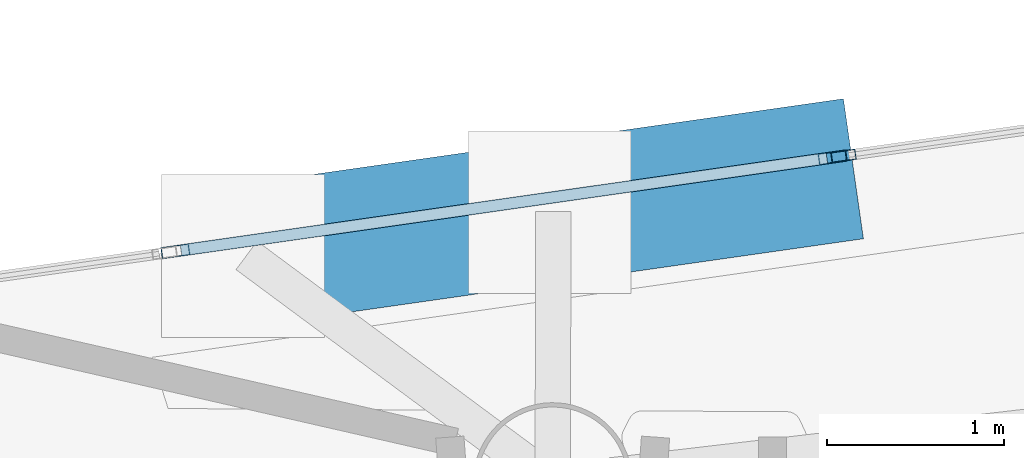
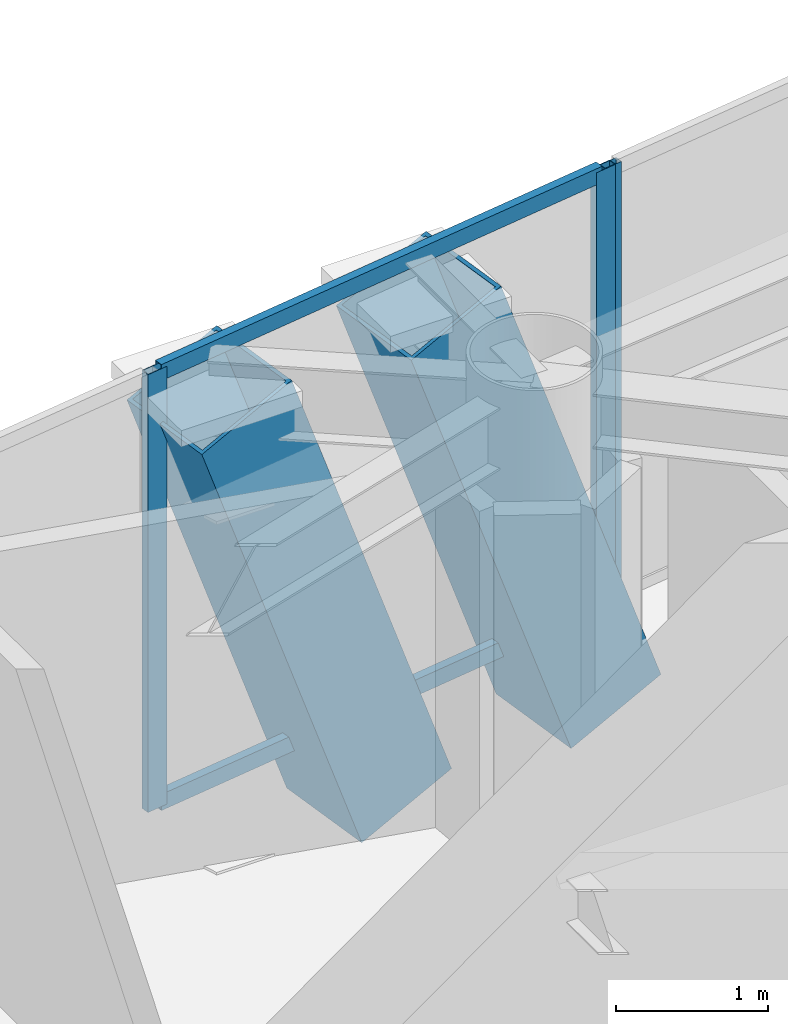
# One storey, part 16 of 25: 7 members, 2 elements without a shape of their own.
"""IFC4 building model written with IfcOpenShell, lengths in metres."""

from ifc_helpers import new_model, si_unit, direction, frame, origin, origin_2d, place, context, subcontext, project, spatial, hollow_rectangle, extrude, material, layer, layer_set, material_profile, profile_set, type_object, element, aggregate, save


model = new_model("IFC4")

# Units and contexts
model_context = context("Model", 3, precision=1e-05, world=origin(), true_north=direction((0.0, 1.0)))
body_context = subcontext(model_context, "Body", "Model", "MODEL_VIEW")
ifc_project = project(units=[si_unit("LENGTHUNIT", "METRE"), si_unit("AREAUNIT", "SQUARE_METRE"), si_unit("VOLUMEUNIT", "CUBIC_METRE"), si_unit("PLANEANGLEUNIT", "RADIAN"), si_unit("MASSUNIT", "GRAM", prefix="KILO")], contexts=[model_context])

# Site, building, storey
site_placement = place(None, origin())
site = spatial("IfcSite", under=ifc_project, at=site_placement, CompositionType="ELEMENT")
building_placement = place(site_placement, origin())
building = spatial("IfcBuilding", under=site, at=building_placement, Name="Qianvela Tower", CompositionType="ELEMENT")
storey_placement = place(building_placement, frame((0.0, 0.0, 288.0)))
storey = spatial("IfcBuildingStorey", under=building, at=storey_placement, Name="L74", CompositionType="ELEMENT", Elevation=288.0)

# Curtain wall, members
ifc_material_1 = material(Name="Anodised Architectural Aluminium and Insulated Spandrel Panel", Category="aluminium")
ifc_layer_1 = layer(ifc_material_1, 0.179931640625)
ifc_layer_set_1 = layer_set([ifc_layer_1], Name="Anodised Architectural Aluminium and Insulated Spandrel Panel")
curtain_wall_type_1 = type_object("IfcCurtainWallType", Name="CW-BRACEBAY", PredefinedType="USERDEFINED", material=ifc_layer_set_1)
curtain_wall_1_placement = place(storey_placement, origin())
curtain_wall_1 = element("IfcCurtainWall", 1, at=curtain_wall_1_placement, inside=storey, type_object=curtain_wall_type_1, Name="L74 CW-BRACEBAY Curtain Wall 02B", ObjectType="CURTAIN_WALL_SYSTEM", PredefinedType="USERDEFINED")
ifc_material_2 = material(Name="Anodised Architectural Aluminium 6063-T6", Category="aluminium")
ifc_material_profile_1 = material_profile(ifc_material_2, hollow_rectangle(XDim=0.06494140625, YDim=0.159912109375, WallThickness=0.0048828125, at=origin_2d()), Name="ALU-MULL-65x160")
ifc_profile_set_1 = profile_set([ifc_material_profile_1], Name="Anodised Architectural Aluminium 6063-T6")
member_type_1 = type_object("IfcMemberType", Name="CW-BRACEBAY-MULL", PredefinedType="MULLION", material=ifc_profile_set_1)
member_1_placement = place(storey_placement, frame((38.05908203125, 37.079833984375, 0.0), z_axis=(0.0, 0.0, 1.0), x_axis=(0.14138837165, -0.989954205184, 0.0)))
member_1 = element("IfcMember", 2, at=member_1_placement, type_object=member_type_1, Name="CW-9 mullion 1", PredefinedType="MULLION", context=body_context, shape_type="SweptSolid", body=[
    extrude(hollow_rectangle(XDim=0.06494140625, YDim=0.159912109375, WallThickness=0.0048828125, at=origin_2d()), origin(), (0.0, 0.0, 1.0), 3.52001953125),
])
member_2_placement = place(storey_placement, frame((34.341796875, 36.549072265625, 0.0), z_axis=(0.0, 0.0, 1.0), x_axis=(0.14138837165, -0.989954205184, 0.0)))
member_2 = element("IfcMember", 3, at=member_2_placement, type_object=member_type_1, Name="CW-9 mullion 2", PredefinedType="MULLION", context=body_context, shape_type="SweptSolid", body=[
    extrude(hollow_rectangle(XDim=0.06494140625, YDim=0.159912109375, WallThickness=0.0048828125, at=origin_2d()), origin(), (0.0, 0.0, 1.0), 3.52001953125),
])
ifc_material_3 = material(Name="Anodised Architectural Aluminium 6063-T6", Category="aluminium")
ifc_material_profile_2 = material_profile(ifc_material_3, hollow_rectangle(XDim=0.06494140625, YDim=0.1298828125, WallThickness=0.00439453125, at=origin_2d()), Name="ALU-TRAN-65x130")
ifc_profile_set_2 = profile_set([ifc_material_profile_2], Name="Anodised Architectural Aluminium 6063-T6")
member_type_2 = type_object("IfcMemberType", Name="CW-BRACEBAY-TRAN", PredefinedType="USERDEFINED", material=ifc_profile_set_2)
member_3_placement = place(storey_placement, frame((38.02685546875, 37.0751953125, 0.032470703125), z_axis=(-0.989962722354, -0.141328724432, 0.0), x_axis=(0.141328724432, -0.989962722354, 0.0)))
member_3 = element("IfcMember", 4, at=member_3_placement, type_object=member_type_2, Name="CW-9 transom 1.1", ObjectType="TRANSOM", PredefinedType="USERDEFINED", context=body_context, shape_type="SweptSolid", body=[
    extrude(hollow_rectangle(XDim=0.06494140625, YDim=0.1298828125, WallThickness=0.00439453125, at=origin_2d()), origin(), (0.0, 0.0, 1.0), 3.68994140625),
])
member_4_placement = place(storey_placement, frame((38.02685546875, 37.0751953125, 3.487548828125), z_axis=(-0.989962722354, -0.141328724432, 0.0), x_axis=(0.141328724432, -0.989962722354, 0.0)))
member_4 = element("IfcMember", 5, at=member_4_placement, type_object=member_type_2, Name="CW-9 transom 1.2", ObjectType="TRANSOM", PredefinedType="USERDEFINED", context=body_context, shape_type="SweptSolid", body=[
    extrude(hollow_rectangle(XDim=0.06494140625, YDim=0.1298828125, WallThickness=0.00439453125, at=origin_2d()), origin(), (0.0, 0.0, 1.0), 3.68994140625),
])
aggregate(curtain_wall_1, [member_1, member_2, member_3, member_4])

# Curtain wall, member
ifc_material_4 = material(Name="Anodised Architectural Aluminium and Low-E Glass", Category="aluminium")
ifc_layer_2 = layer(ifc_material_4, 0.14990234375)
ifc_layer_set_2 = layer_set([ifc_layer_2], Name="Anodised Architectural Aluminium and Low-E Glass")
curtain_wall_type_2 = type_object("IfcCurtainWallType", Name="CW-COLIV-Z78", PredefinedType="USERDEFINED", material=ifc_layer_set_2)
curtain_wall_2_placement = place(storey_placement, origin())
curtain_wall_2 = element("IfcCurtainWall", 6, at=curtain_wall_2_placement, inside=storey, type_object=curtain_wall_type_2, Name="L74 CW-COLIV-Z78 Curtain Wall 02A", ObjectType="CURTAIN_WALL_SYSTEM", PredefinedType="USERDEFINED")
ifc_material_5 = material(Name="Anodised Architectural Aluminium 6063-T6", Category="aluminium")
ifc_material_profile_3 = material_profile(ifc_material_5, hollow_rectangle(XDim=0.06005859375, YDim=0.139892578125, WallThickness=0.00439453125, at=origin_2d()), Name="ALU-MULL-60x140")
ifc_profile_set_3 = profile_set([ifc_material_profile_3], Name="Anodised Architectural Aluminium 6063-T6")
member_type_3 = type_object("IfcMemberType", Name="CW-COLIV-Z78-MULL", PredefinedType="MULLION", material=ifc_profile_set_3)
member_5_placement = place(storey_placement, frame((38.12109375, 37.088623046875, 0.0), z_axis=(0.0, 0.0, 1.0), x_axis=(0.14136186828, -0.989957990117, 0.0)))
member_5 = element("IfcMember", 7, at=member_5_placement, type_object=member_type_3, Name="CW-6 mullion 3", PredefinedType="MULLION", context=body_context, shape_type="SweptSolid", body=[
    extrude(hollow_rectangle(XDim=0.06005859375, YDim=0.139892578125, WallThickness=0.00439453125, at=origin_2d()), origin(), (0.0, 0.0, 1.0), 3.52001953125),
])
aggregate(curtain_wall_2, [member_5])

# Members
ifc_material_6 = material(Name="Steel Q420GJC", Category="steel")
ifc_material_profile_4 = material_profile(ifc_material_6, hollow_rectangle(XDim=0.800048828125, YDim=0.800048828125, WallThickness=0.028076171875, at=origin_2d()), Name="MBOX-800x800x28")
ifc_profile_set_4 = profile_set([ifc_material_profile_4], Name="Steel Q420GJC")
member_type_4 = type_object("IfcMemberType", Name="MBR-MBRACE-800", PredefinedType="BRACE", material=ifc_profile_set_4)
for number, where, z_axis, x_axis, name in (
    (8, (37.8046875, 36.962646484375, -0.48193359375), (-0.336745103526, -0.048088714802, 0.940367061716), (0.141370280335, -0.989956788874, 0.0), "L74 Tier 12 Exterior Mega-Brace F1A"),
    (9, (36.06982421875, 36.715087890625, -0.48193359375), (-0.33679910988, -0.048149614824, 0.940344603949), (0.141523485835, -0.989934898343, 0.0), "L74 Tier 12 Exterior Mega-Brace F1B"),
):
    element("IfcMember", number, at=place(storey_placement, frame(where, z_axis=z_axis, x_axis=x_axis)), inside=storey, type_object=member_type_4, Name=name, PredefinedType="BRACE", context=body_context, shape_type="SweptSolid", body=[
        extrude(hollow_rectangle(XDim=0.800048828125, YDim=0.800048828125, WallThickness=0.028076171875, at=origin_2d()), origin(), (0.0, 0.0, 1.0), 3.9345703125),
    ])

save(model, "model.ifc")
